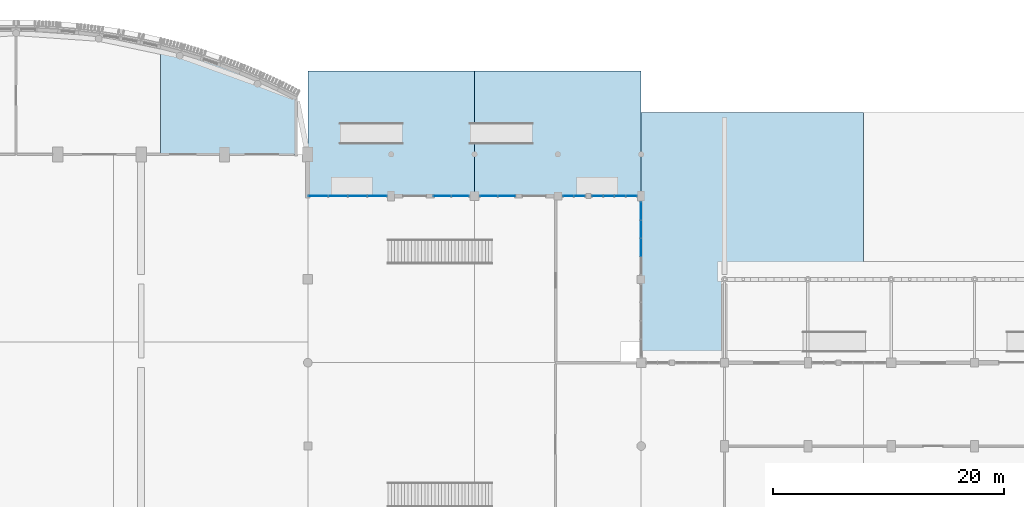
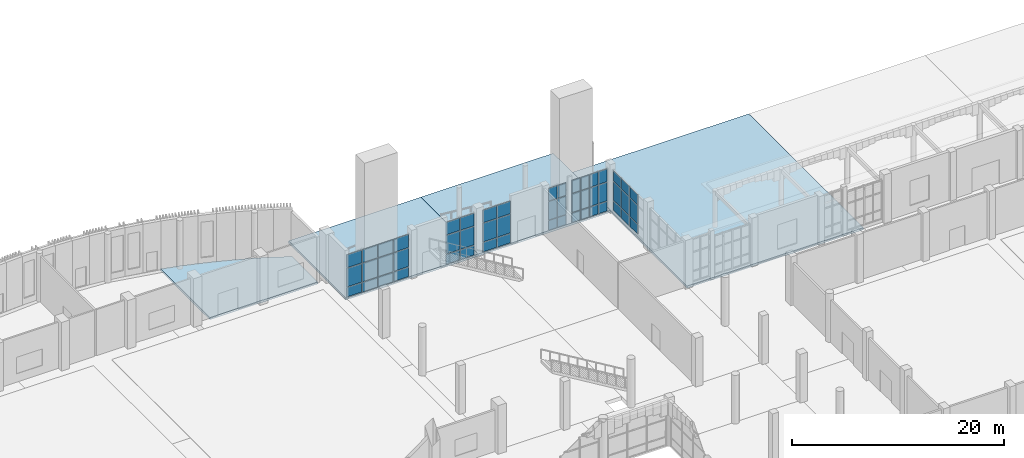
# One storey, part 44 of 85: 51 plates, 4 slabs, 6 elements without a shape of their own.
"""IFC4 building model written with IfcOpenShell, lengths in metres."""

from ifc_helpers import new_model, si_unit, direction, frame, origin, origin_2d, place, context, subcontext, project, spatial, polyline, rectangle, outline, extrude, material, layer, layer_set, type_object, element, aggregate, save


model = new_model("IFC4")

# Units and contexts
model_context = context("Model", 3, precision=1e-05, world=origin(), true_north=direction((0.0, 1.0)))
body_context = subcontext(model_context, "Body", "Model", "MODEL_VIEW")
ifc_project = project(units=[si_unit("LENGTHUNIT", "METRE"), si_unit("AREAUNIT", "SQUARE_METRE"), si_unit("VOLUMEUNIT", "CUBIC_METRE"), si_unit("PLANEANGLEUNIT", "RADIAN"), si_unit("MASSUNIT", "GRAM", prefix="KILO")], contexts=[model_context])

# Site, building, storey
site_placement = place(None, origin())
site = spatial("IfcSite", under=ifc_project, at=site_placement, CompositionType="ELEMENT")
building_placement = place(site_placement, origin())
building = spatial("IfcBuilding", under=site, at=building_placement, Name="Sardonyx Promenade Sports Hall", CompositionType="ELEMENT")
storey_placement = place(building_placement, origin())
storey = spatial("IfcBuildingStorey", under=building, at=storey_placement, Name="L00", CompositionType="ELEMENT", Elevation=0.0)

# Curtain wall, plates
ifc_material_1 = material(Name="Aluminium 6063-T6", Category="aluminium")
curtain_wall_type_1 = type_object("IfcCurtainWallType", Name="CW_Foyer_L00_Tall", PredefinedType="USERDEFINED", material=ifc_material_1)
curtain_wall_1_placement = place(storey_placement, origin())
curtain_wall_1 = element("IfcCurtainWall", 1, at=curtain_wall_1_placement, inside=storey, type_object=curtain_wall_type_1, Name="Curtain wall CW13 cw:L00:084", ObjectType="CURTAIN WALL", PredefinedType="USERDEFINED")
ifc_material_2 = material(Name="Triple-glazed harbour solar IGU 40 mm", Category="glass")
ifc_layer_1 = layer(ifc_material_2, 0.0400390625)
ifc_layer_set_1 = layer_set([ifc_layer_1], Name="CW_Pan_Glz_40")
plate_type = type_object("IfcPlateType", Name="CW_Pan_Glz_40", PredefinedType="CURTAIN_PANEL", material=ifc_layer_set_1)
plate_1_placement = place(storey_placement, frame((80.105712890625, 100.800048828125, 0.074951171875), z_axis=(0.0, 0.0, 1.0), x_axis=(1.0, 0.0, 0.0)))
plate_1 = element("IfcPlate", 2, at=plate_1_placement, type_object=plate_type, Name="Curtain panel CP04 cw:L00:084 #1", PredefinedType="CURTAIN_PANEL", context=body_context, shape_type="SweptSolid", body=[
    extrude(rectangle(XDim=1.621337890625, YDim=0.0400390625, at=origin_2d()), origin(), (0.0, 0.0, 1.0), 1.08740234375),
])
plate_2_placement = place(storey_placement, frame((80.105712890625, 100.800048828125, 1.237548828125), z_axis=(0.0, 0.0, 1.0), x_axis=(1.0, 0.0, 0.0)))
plate_2 = element("IfcPlate", 3, at=plate_2_placement, type_object=plate_type, Name="Curtain panel CP04 cw:L00:084 #2", PredefinedType="CURTAIN_PANEL", context=body_context, shape_type="SweptSolid", body=[
    extrude(rectangle(XDim=1.621337890625, YDim=0.0400390625, at=origin_2d()), origin(), (0.0, 0.0, 1.0), 2.125),
])
plate_3_placement = place(storey_placement, frame((80.105712890625, 100.800048828125, 3.4375), z_axis=(0.0, 0.0, 1.0), x_axis=(1.0, 0.0, 0.0)))
plate_3 = element("IfcPlate", 4, at=plate_3_placement, type_object=plate_type, Name="Curtain panel CP04 cw:L00:084 #3", PredefinedType="CURTAIN_PANEL", context=body_context, shape_type="SweptSolid", body=[
    extrude(rectangle(XDim=1.621337890625, YDim=0.0400390625, at=origin_2d()), origin(), (0.0, 0.0, 1.0), 1.487548828125),
])
plate_4_placement = place(storey_placement, frame((81.8017578125, 100.800048828125, 0.074951171875), z_axis=(0.0, 0.0, 1.0), x_axis=(1.0, 0.0, 0.0)))
plate_4 = element("IfcPlate", 5, at=plate_4_placement, type_object=plate_type, Name="Curtain panel CP04 cw:L00:084 #4", PredefinedType="CURTAIN_PANEL", context=body_context, shape_type="SweptSolid", body=[
    extrude(rectangle(XDim=1.621337890625, YDim=0.0400390625, at=origin_2d()), origin(), (0.0, 0.0, 1.0), 1.08740234375),
])
plate_5_placement = place(storey_placement, frame((81.8017578125, 100.800048828125, 1.237548828125), z_axis=(0.0, 0.0, 1.0), x_axis=(1.0, 0.0, 0.0)))
plate_5 = element("IfcPlate", 6, at=plate_5_placement, type_object=plate_type, Name="Curtain panel CP04 cw:L00:084 #5", PredefinedType="CURTAIN_PANEL", context=body_context, shape_type="SweptSolid", body=[
    extrude(rectangle(XDim=1.621337890625, YDim=0.0400390625, at=origin_2d()), origin(), (0.0, 0.0, 1.0), 2.125),
])
plate_6_placement = place(storey_placement, frame((81.8017578125, 100.800048828125, 3.4375), z_axis=(0.0, 0.0, 1.0), x_axis=(1.0, 0.0, 0.0)))
plate_6 = element("IfcPlate", 7, at=plate_6_placement, type_object=plate_type, Name="Curtain panel CP04 cw:L00:084 #6", PredefinedType="CURTAIN_PANEL", context=body_context, shape_type="SweptSolid", body=[
    extrude(rectangle(XDim=1.621337890625, YDim=0.0400390625, at=origin_2d()), origin(), (0.0, 0.0, 1.0), 1.487548828125),
])
plate_7_placement = place(storey_placement, frame((83.498046875, 100.800048828125, 0.074951171875), z_axis=(0.0, 0.0, 1.0), x_axis=(1.0, 0.0, 0.0)))
plate_7 = element("IfcPlate", 8, at=plate_7_placement, type_object=plate_type, Name="Curtain panel CP04 cw:L00:084 #7", PredefinedType="CURTAIN_PANEL", context=body_context, shape_type="SweptSolid", body=[
    extrude(rectangle(XDim=1.621337890625, YDim=0.0400390625, at=origin_2d()), origin(), (0.0, 0.0, 1.0), 1.08740234375),
])
plate_8_placement = place(storey_placement, frame((83.498046875, 100.800048828125, 1.237548828125), z_axis=(0.0, 0.0, 1.0), x_axis=(1.0, 0.0, 0.0)))
plate_8 = element("IfcPlate", 9, at=plate_8_placement, type_object=plate_type, Name="Curtain panel CP04 cw:L00:084 #8", PredefinedType="CURTAIN_PANEL", context=body_context, shape_type="SweptSolid", body=[
    extrude(rectangle(XDim=1.621337890625, YDim=0.0400390625, at=origin_2d()), origin(), (0.0, 0.0, 1.0), 2.125),
])
plate_9_placement = place(storey_placement, frame((83.498046875, 100.800048828125, 3.4375), z_axis=(0.0, 0.0, 1.0), x_axis=(1.0, 0.0, 0.0)))
plate_9 = element("IfcPlate", 10, at=plate_9_placement, type_object=plate_type, Name="Curtain panel CP04 cw:L00:084 #9", PredefinedType="CURTAIN_PANEL", context=body_context, shape_type="SweptSolid", body=[
    extrude(rectangle(XDim=1.621337890625, YDim=0.0400390625, at=origin_2d()), origin(), (0.0, 0.0, 1.0), 1.487548828125),
])
plate_10_placement = place(storey_placement, frame((85.1943359375, 100.800048828125, 0.074951171875), z_axis=(0.0, 0.0, 1.0), x_axis=(1.0, 0.0, 0.0)))
plate_10 = element("IfcPlate", 11, at=plate_10_placement, type_object=plate_type, Name="Curtain panel CP04 cw:L00:084 #10", PredefinedType="CURTAIN_PANEL", context=body_context, shape_type="SweptSolid", body=[
    extrude(rectangle(XDim=1.621337890625, YDim=0.0400390625, at=origin_2d()), origin(), (0.0, 0.0, 1.0), 1.08740234375),
])
plate_11_placement = place(storey_placement, frame((85.1943359375, 100.800048828125, 1.237548828125), z_axis=(0.0, 0.0, 1.0), x_axis=(1.0, 0.0, 0.0)))
plate_11 = element("IfcPlate", 12, at=plate_11_placement, type_object=plate_type, Name="Curtain panel CP04 cw:L00:084 #11", PredefinedType="CURTAIN_PANEL", context=body_context, shape_type="SweptSolid", body=[
    extrude(rectangle(XDim=1.621337890625, YDim=0.0400390625, at=origin_2d()), origin(), (0.0, 0.0, 1.0), 2.125),
])
plate_12_placement = place(storey_placement, frame((85.1943359375, 100.800048828125, 3.4375), z_axis=(0.0, 0.0, 1.0), x_axis=(1.0, 0.0, 0.0)))
plate_12 = element("IfcPlate", 13, at=plate_12_placement, type_object=plate_type, Name="Curtain panel CP04 cw:L00:084 #12", PredefinedType="CURTAIN_PANEL", context=body_context, shape_type="SweptSolid", body=[
    extrude(rectangle(XDim=1.621337890625, YDim=0.0400390625, at=origin_2d()), origin(), (0.0, 0.0, 1.0), 1.487548828125),
])
aggregate(curtain_wall_1, [plate_1, plate_2, plate_3, plate_4, plate_5, plate_6, plate_7, plate_8, plate_9, plate_10, plate_11, plate_12])

ifc_material_3 = material(Name="Aluminium 6063-T6", Category="aluminium")
curtain_wall_type_2 = type_object("IfcCurtainWallType", Name="CW_Foyer_Pilaster_L00", PredefinedType="USERDEFINED", material=ifc_material_3)
curtain_wall_2_placement = place(storey_placement, origin())
curtain_wall_2 = element("IfcCurtainWall", 14, at=curtain_wall_2_placement, inside=storey, type_object=curtain_wall_type_2, Name="Curtain wall CW20 cw:L00:085", ObjectType="CURTAIN WALL", PredefinedType="USERDEFINED")
plate_13_placement = place(storey_placement, frame((90.828857421875, 100.800048828125, 0.074951171875), z_axis=(0.0, 0.0, 1.0), x_axis=(1.0, 0.0, 0.0)))
plate_13 = element("IfcPlate", 15, at=plate_13_placement, type_object=plate_type, Name="Curtain panel CP04 cw:L00:085 #1", PredefinedType="CURTAIN_PANEL", context=body_context, shape_type="SweptSolid", body=[
    extrude(rectangle(XDim=1.467529296875, YDim=0.0400390625, at=origin_2d()), origin(), (0.0, 0.0, 1.0), 1.08740234375),
])
plate_14_placement = place(storey_placement, frame((90.828857421875, 100.800048828125, 1.237548828125), z_axis=(0.0, 0.0, 1.0), x_axis=(1.0, 0.0, 0.0)))
plate_14 = element("IfcPlate", 16, at=plate_14_placement, type_object=plate_type, Name="Curtain panel CP04 cw:L00:085 #2", PredefinedType="CURTAIN_PANEL", context=body_context, shape_type="SweptSolid", body=[
    extrude(rectangle(XDim=1.467529296875, YDim=0.0400390625, at=origin_2d()), origin(), (0.0, 0.0, 1.0), 2.125),
])
plate_15_placement = place(storey_placement, frame((90.828857421875, 100.800048828125, 3.4375), z_axis=(0.0, 0.0, 1.0), x_axis=(1.0, 0.0, 0.0)))
plate_15 = element("IfcPlate", 17, at=plate_15_placement, type_object=plate_type, Name="Curtain panel CP04 cw:L00:085 #3", PredefinedType="CURTAIN_PANEL", context=body_context, shape_type="SweptSolid", body=[
    extrude(rectangle(XDim=1.467529296875, YDim=0.0400390625, at=origin_2d()), origin(), (0.0, 0.0, 1.0), 1.4375),
])
plate_16_placement = place(storey_placement, frame((92.371337890625, 100.800048828125, 0.074951171875), z_axis=(0.0, 0.0, 1.0), x_axis=(1.0, 0.0, 0.0)))
plate_16 = element("IfcPlate", 18, at=plate_16_placement, type_object=plate_type, Name="Curtain panel CP04 cw:L00:085 #4", PredefinedType="CURTAIN_PANEL", context=body_context, shape_type="SweptSolid", body=[
    extrude(rectangle(XDim=1.467529296875, YDim=0.0400390625, at=origin_2d()), origin(), (0.0, 0.0, 1.0), 1.08740234375),
])
plate_17_placement = place(storey_placement, frame((92.371337890625, 100.800048828125, 1.237548828125), z_axis=(0.0, 0.0, 1.0), x_axis=(1.0, 0.0, 0.0)))
plate_17 = element("IfcPlate", 19, at=plate_17_placement, type_object=plate_type, Name="Curtain panel CP04 cw:L00:085 #5", PredefinedType="CURTAIN_PANEL", context=body_context, shape_type="SweptSolid", body=[
    extrude(rectangle(XDim=1.467529296875, YDim=0.0400390625, at=origin_2d()), origin(), (0.0, 0.0, 1.0), 2.125),
])
plate_18_placement = place(storey_placement, frame((92.371337890625, 100.800048828125, 3.4375), z_axis=(0.0, 0.0, 1.0), x_axis=(1.0, 0.0, 0.0)))
plate_18 = element("IfcPlate", 20, at=plate_18_placement, type_object=plate_type, Name="Curtain panel CP04 cw:L00:085 #6", PredefinedType="CURTAIN_PANEL", context=body_context, shape_type="SweptSolid", body=[
    extrude(rectangle(XDim=1.467529296875, YDim=0.0400390625, at=origin_2d()), origin(), (0.0, 0.0, 1.0), 1.4375),
])
aggregate(curtain_wall_2, [plate_13, plate_14, plate_15, plate_16, plate_17, plate_18])

curtain_wall_3_placement = place(storey_placement, origin())
curtain_wall_3 = element("IfcCurtainWall", 21, at=curtain_wall_3_placement, inside=storey, type_object=curtain_wall_type_2, Name="Curtain wall CW20 cw:L00:086", ObjectType="CURTAIN WALL", PredefinedType="USERDEFINED")
plate_19_placement = place(storey_placement, frame((94.828857421875, 100.800048828125, 0.074951171875), z_axis=(0.0, 0.0, 1.0), x_axis=(1.0, 0.0, 0.0)))
plate_19 = element("IfcPlate", 22, at=plate_19_placement, type_object=plate_type, Name="Curtain panel CP04 cw:L00:086 #1", PredefinedType="CURTAIN_PANEL", context=body_context, shape_type="SweptSolid", body=[
    extrude(rectangle(XDim=1.467529296875, YDim=0.0400390625, at=origin_2d()), origin(), (0.0, 0.0, 1.0), 1.08740234375),
])
plate_20_placement = place(storey_placement, frame((94.828857421875, 100.800048828125, 1.237548828125), z_axis=(0.0, 0.0, 1.0), x_axis=(1.0, 0.0, 0.0)))
plate_20 = element("IfcPlate", 23, at=plate_20_placement, type_object=plate_type, Name="Curtain panel CP04 cw:L00:086 #2", PredefinedType="CURTAIN_PANEL", context=body_context, shape_type="SweptSolid", body=[
    extrude(rectangle(XDim=1.467529296875, YDim=0.0400390625, at=origin_2d()), origin(), (0.0, 0.0, 1.0), 2.125),
])
plate_21_placement = place(storey_placement, frame((94.828857421875, 100.800048828125, 3.4375), z_axis=(0.0, 0.0, 1.0), x_axis=(1.0, 0.0, 0.0)))
plate_21 = element("IfcPlate", 24, at=plate_21_placement, type_object=plate_type, Name="Curtain panel CP04 cw:L00:086 #3", PredefinedType="CURTAIN_PANEL", context=body_context, shape_type="SweptSolid", body=[
    extrude(rectangle(XDim=1.467529296875, YDim=0.0400390625, at=origin_2d()), origin(), (0.0, 0.0, 1.0), 1.4375),
])
plate_22_placement = place(storey_placement, frame((96.371337890625, 100.800048828125, 0.074951171875), z_axis=(0.0, 0.0, 1.0), x_axis=(1.0, 0.0, 0.0)))
plate_22 = element("IfcPlate", 25, at=plate_22_placement, type_object=plate_type, Name="Curtain panel CP04 cw:L00:086 #4", PredefinedType="CURTAIN_PANEL", context=body_context, shape_type="SweptSolid", body=[
    extrude(rectangle(XDim=1.467529296875, YDim=0.0400390625, at=origin_2d()), origin(), (0.0, 0.0, 1.0), 1.08740234375),
])
plate_23_placement = place(storey_placement, frame((96.371337890625, 100.800048828125, 1.237548828125), z_axis=(0.0, 0.0, 1.0), x_axis=(1.0, 0.0, 0.0)))
plate_23 = element("IfcPlate", 26, at=plate_23_placement, type_object=plate_type, Name="Curtain panel CP04 cw:L00:086 #5", PredefinedType="CURTAIN_PANEL", context=body_context, shape_type="SweptSolid", body=[
    extrude(rectangle(XDim=1.467529296875, YDim=0.0400390625, at=origin_2d()), origin(), (0.0, 0.0, 1.0), 2.125),
])
plate_24_placement = place(storey_placement, frame((96.371337890625, 100.800048828125, 3.4375), z_axis=(0.0, 0.0, 1.0), x_axis=(1.0, 0.0, 0.0)))
plate_24 = element("IfcPlate", 27, at=plate_24_placement, type_object=plate_type, Name="Curtain panel CP04 cw:L00:086 #6", PredefinedType="CURTAIN_PANEL", context=body_context, shape_type="SweptSolid", body=[
    extrude(rectangle(XDim=1.467529296875, YDim=0.0400390625, at=origin_2d()), origin(), (0.0, 0.0, 1.0), 1.4375),
])
aggregate(curtain_wall_3, [plate_19, plate_20, plate_21, plate_22, plate_23, plate_24])

curtain_wall_4_placement = place(storey_placement, origin())
curtain_wall_4 = element("IfcCurtainWall", 28, at=curtain_wall_4_placement, inside=storey, type_object=curtain_wall_type_2, Name="Curtain wall CW20 cw:L00:087", ObjectType="CURTAIN WALL", PredefinedType="USERDEFINED")
plate_25_placement = place(storey_placement, frame((101.697509765625, 100.800048828125, 0.074951171875), z_axis=(0.0, 0.0, 1.0), x_axis=(1.0, 0.0, 0.0)))
plate_25 = element("IfcPlate", 29, at=plate_25_placement, type_object=plate_type, Name="Curtain panel CP04 cw:L00:087 #1", PredefinedType="CURTAIN_PANEL", context=body_context, shape_type="SweptSolid", body=[
    extrude(rectangle(XDim=0.905029296875, YDim=0.0400390625, at=origin_2d()), origin(), (0.0, 0.0, 1.0), 1.08740234375),
])
plate_26_placement = place(storey_placement, frame((101.697509765625, 100.800048828125, 1.237548828125), z_axis=(0.0, 0.0, 1.0), x_axis=(1.0, 0.0, 0.0)))
plate_26 = element("IfcPlate", 30, at=plate_26_placement, type_object=plate_type, Name="Curtain panel CP04 cw:L00:087 #2", PredefinedType="CURTAIN_PANEL", context=body_context, shape_type="SweptSolid", body=[
    extrude(rectangle(XDim=0.905029296875, YDim=0.0400390625, at=origin_2d()), origin(), (0.0, 0.0, 1.0), 2.125),
])
plate_27_placement = place(storey_placement, frame((101.697509765625, 100.800048828125, 3.4375), z_axis=(0.0, 0.0, 1.0), x_axis=(1.0, 0.0, 0.0)))
plate_27 = element("IfcPlate", 31, at=plate_27_placement, type_object=plate_type, Name="Curtain panel CP04 cw:L00:087 #3", PredefinedType="CURTAIN_PANEL", context=body_context, shape_type="SweptSolid", body=[
    extrude(rectangle(XDim=0.905029296875, YDim=0.0400390625, at=origin_2d()), origin(), (0.0, 0.0, 1.0), 1.4375),
])
plate_28_placement = place(storey_placement, frame((102.677490234375, 100.800048828125, 0.074951171875), z_axis=(0.0, 0.0, 1.0), x_axis=(1.0, 0.0, 0.0)))
plate_28 = element("IfcPlate", 32, at=plate_28_placement, type_object=plate_type, Name="Curtain panel CP04 cw:L00:087 #4", PredefinedType="CURTAIN_PANEL", context=body_context, shape_type="SweptSolid", body=[
    extrude(rectangle(XDim=0.905029296875, YDim=0.0400390625, at=origin_2d()), origin(), (0.0, 0.0, 1.0), 1.08740234375),
])
plate_29_placement = place(storey_placement, frame((102.677490234375, 100.800048828125, 1.237548828125), z_axis=(0.0, 0.0, 1.0), x_axis=(1.0, 0.0, 0.0)))
plate_29 = element("IfcPlate", 33, at=plate_29_placement, type_object=plate_type, Name="Curtain panel CP04 cw:L00:087 #5", PredefinedType="CURTAIN_PANEL", context=body_context, shape_type="SweptSolid", body=[
    extrude(rectangle(XDim=0.905029296875, YDim=0.0400390625, at=origin_2d()), origin(), (0.0, 0.0, 1.0), 2.125),
])
plate_30_placement = place(storey_placement, frame((102.677490234375, 100.800048828125, 3.4375), z_axis=(0.0, 0.0, 1.0), x_axis=(1.0, 0.0, 0.0)))
plate_30 = element("IfcPlate", 34, at=plate_30_placement, type_object=plate_type, Name="Curtain panel CP04 cw:L00:087 #6", PredefinedType="CURTAIN_PANEL", context=body_context, shape_type="SweptSolid", body=[
    extrude(rectangle(XDim=0.905029296875, YDim=0.0400390625, at=origin_2d()), origin(), (0.0, 0.0, 1.0), 1.4375),
])
aggregate(curtain_wall_4, [plate_25, plate_26, plate_27, plate_28, plate_29, plate_30])

curtain_wall_5_placement = place(storey_placement, origin())
curtain_wall_5 = element("IfcCurtainWall", 35, at=curtain_wall_5_placement, inside=storey, type_object=curtain_wall_type_1, Name="Curtain wall CW13 cw:L00:088", ObjectType="CURTAIN WALL", PredefinedType="USERDEFINED")
plate_31_placement = place(storey_placement, frame((104.22119140625, 100.800048828125, 0.074951171875), z_axis=(0.0, 0.0, 1.0), x_axis=(1.0, 0.0, 0.0)))
plate_31 = element("IfcPlate", 36, at=plate_31_placement, type_object=plate_type, Name="Curtain panel CP04 cw:L00:088 #1", PredefinedType="CURTAIN_PANEL", context=body_context, shape_type="SweptSolid", body=[
    extrude(rectangle(XDim=0.902587890625, YDim=0.0400390625, at=origin_2d()), origin(), (0.0, 0.0, 1.0), 1.08740234375),
])
plate_32_placement = place(storey_placement, frame((104.22119140625, 100.800048828125, 1.237548828125), z_axis=(0.0, 0.0, 1.0), x_axis=(1.0, 0.0, 0.0)))
plate_32 = element("IfcPlate", 37, at=plate_32_placement, type_object=plate_type, Name="Curtain panel CP04 cw:L00:088 #2", PredefinedType="CURTAIN_PANEL", context=body_context, shape_type="SweptSolid", body=[
    extrude(rectangle(XDim=0.902587890625, YDim=0.0400390625, at=origin_2d()), origin(), (0.0, 0.0, 1.0), 2.125),
])
plate_33_placement = place(storey_placement, frame((104.22119140625, 100.800048828125, 3.4375), z_axis=(0.0, 0.0, 1.0), x_axis=(1.0, 0.0, 0.0)))
plate_33 = element("IfcPlate", 38, at=plate_33_placement, type_object=plate_type, Name="Curtain panel CP04 cw:L00:088 #3", PredefinedType="CURTAIN_PANEL", context=body_context, shape_type="SweptSolid", body=[
    extrude(rectangle(XDim=0.902587890625, YDim=0.0400390625, at=origin_2d()), origin(), (0.0, 0.0, 1.0), 1.472412109375),
])
plate_34_placement = place(storey_placement, frame((105.19873046875, 100.800048828125, 0.074951171875), z_axis=(0.0, 0.0, 1.0), x_axis=(1.0, 0.0, 0.0)))
plate_34 = element("IfcPlate", 39, at=plate_34_placement, type_object=plate_type, Name="Curtain panel CP04 cw:L00:088 #4", PredefinedType="CURTAIN_PANEL", context=body_context, shape_type="SweptSolid", body=[
    extrude(rectangle(XDim=0.902587890625, YDim=0.0400390625, at=origin_2d()), origin(), (0.0, 0.0, 1.0), 1.08740234375),
])
plate_35_placement = place(storey_placement, frame((105.19873046875, 100.800048828125, 1.237548828125), z_axis=(0.0, 0.0, 1.0), x_axis=(1.0, 0.0, 0.0)))
plate_35 = element("IfcPlate", 40, at=plate_35_placement, type_object=plate_type, Name="Curtain panel CP04 cw:L00:088 #5", PredefinedType="CURTAIN_PANEL", context=body_context, shape_type="SweptSolid", body=[
    extrude(rectangle(XDim=0.902587890625, YDim=0.0400390625, at=origin_2d()), origin(), (0.0, 0.0, 1.0), 2.125),
])
plate_36_placement = place(storey_placement, frame((105.19873046875, 100.800048828125, 3.4375), z_axis=(0.0, 0.0, 1.0), x_axis=(1.0, 0.0, 0.0)))
plate_36 = element("IfcPlate", 41, at=plate_36_placement, type_object=plate_type, Name="Curtain panel CP04 cw:L00:088 #6", PredefinedType="CURTAIN_PANEL", context=body_context, shape_type="SweptSolid", body=[
    extrude(rectangle(XDim=0.902587890625, YDim=0.0400390625, at=origin_2d()), origin(), (0.0, 0.0, 1.0), 1.472412109375),
])
plate_37_placement = place(storey_placement, frame((106.17626953125, 100.800048828125, 0.074951171875), z_axis=(0.0, 0.0, 1.0), x_axis=(1.0, 0.0, 0.0)))
plate_37 = element("IfcPlate", 42, at=plate_37_placement, type_object=plate_type, Name="Curtain panel CP04 cw:L00:088 #7", PredefinedType="CURTAIN_PANEL", context=body_context, shape_type="SweptSolid", body=[
    extrude(rectangle(XDim=0.902587890625, YDim=0.0400390625, at=origin_2d()), origin(), (0.0, 0.0, 1.0), 1.08740234375),
])
plate_38_placement = place(storey_placement, frame((106.17626953125, 100.800048828125, 1.237548828125), z_axis=(0.0, 0.0, 1.0), x_axis=(1.0, 0.0, 0.0)))
plate_38 = element("IfcPlate", 43, at=plate_38_placement, type_object=plate_type, Name="Curtain panel CP04 cw:L00:088 #8", PredefinedType="CURTAIN_PANEL", context=body_context, shape_type="SweptSolid", body=[
    extrude(rectangle(XDim=0.902587890625, YDim=0.0400390625, at=origin_2d()), origin(), (0.0, 0.0, 1.0), 2.125),
])
plate_39_placement = place(storey_placement, frame((106.17626953125, 100.800048828125, 3.4375), z_axis=(0.0, 0.0, 1.0), x_axis=(1.0, 0.0, 0.0)))
plate_39 = element("IfcPlate", 44, at=plate_39_placement, type_object=plate_type, Name="Curtain panel CP04 cw:L00:088 #9", PredefinedType="CURTAIN_PANEL", context=body_context, shape_type="SweptSolid", body=[
    extrude(rectangle(XDim=0.902587890625, YDim=0.0400390625, at=origin_2d()), origin(), (0.0, 0.0, 1.0), 1.472412109375),
])
plate_40_placement = place(storey_placement, frame((107.15380859375, 100.800048828125, 0.074951171875), z_axis=(0.0, 0.0, 1.0), x_axis=(1.0, 0.0, 0.0)))
plate_40 = element("IfcPlate", 45, at=plate_40_placement, type_object=plate_type, Name="Curtain panel CP04 cw:L00:088 #10", PredefinedType="CURTAIN_PANEL", context=body_context, shape_type="SweptSolid", body=[
    extrude(rectangle(XDim=0.902587890625, YDim=0.0400390625, at=origin_2d()), origin(), (0.0, 0.0, 1.0), 1.08740234375),
])
plate_41_placement = place(storey_placement, frame((107.15380859375, 100.800048828125, 1.237548828125), z_axis=(0.0, 0.0, 1.0), x_axis=(1.0, 0.0, 0.0)))
plate_41 = element("IfcPlate", 46, at=plate_41_placement, type_object=plate_type, Name="Curtain panel CP04 cw:L00:088 #11", PredefinedType="CURTAIN_PANEL", context=body_context, shape_type="SweptSolid", body=[
    extrude(rectangle(XDim=0.902587890625, YDim=0.0400390625, at=origin_2d()), origin(), (0.0, 0.0, 1.0), 2.125),
])
plate_42_placement = place(storey_placement, frame((107.15380859375, 100.800048828125, 3.4375), z_axis=(0.0, 0.0, 1.0), x_axis=(1.0, 0.0, 0.0)))
plate_42 = element("IfcPlate", 47, at=plate_42_placement, type_object=plate_type, Name="Curtain panel CP04 cw:L00:088 #12", PredefinedType="CURTAIN_PANEL", context=body_context, shape_type="SweptSolid", body=[
    extrude(rectangle(XDim=0.902587890625, YDim=0.0400390625, at=origin_2d()), origin(), (0.0, 0.0, 1.0), 1.472412109375),
])
aggregate(curtain_wall_5, [plate_31, plate_32, plate_33, plate_34, plate_35, plate_36, plate_37, plate_38, plate_39, plate_40, plate_41, plate_42])

curtain_wall_6_placement = place(storey_placement, origin())
curtain_wall_6 = element("IfcCurtainWall", 48, at=curtain_wall_6_placement, inside=storey, type_object=curtain_wall_type_1, Name="Curtain wall CW13 cw:L00:093", ObjectType="CURTAIN WALL", PredefinedType="USERDEFINED")
plate_43_placement = place(storey_placement, frame((108.0, 99.5068359375, 0.375), z_axis=(0.0, 0.0, 1.0), x_axis=(0.0, -1.0, 0.0)))
plate_43 = element("IfcPlate", 49, at=plate_43_placement, type_object=plate_type, Name="Curtain panel CP04 cw:L00:093 #1", PredefinedType="CURTAIN_PANEL", context=body_context, shape_type="SweptSolid", body=[
    extrude(rectangle(XDim=1.496337890625, YDim=0.0400390625, at=origin_2d()), origin(), (0.0, 0.0, 1.0), 1.08740234375),
])
plate_44_placement = place(storey_placement, frame((108.0, 99.5068359375, 1.53759765625), z_axis=(0.0, 0.0, 1.0), x_axis=(0.0, -1.0, 0.0)))
plate_44 = element("IfcPlate", 50, at=plate_44_placement, type_object=plate_type, Name="Curtain panel CP04 cw:L00:093 #2", PredefinedType="CURTAIN_PANEL", context=body_context, shape_type="SweptSolid", body=[
    extrude(rectangle(XDim=1.496337890625, YDim=0.0400390625, at=origin_2d()), origin(), (0.0, 0.0, 1.0), 2.125),
])
plate_45_placement = place(storey_placement, frame((108.0, 99.5068359375, 3.7373046875), z_axis=(0.0, 0.0, 1.0), x_axis=(0.0, -1.0, 0.0)))
plate_45 = element("IfcPlate", 51, at=plate_45_placement, type_object=plate_type, Name="Curtain panel CP04 cw:L00:093 #3", PredefinedType="CURTAIN_PANEL", context=body_context, shape_type="SweptSolid", body=[
    extrude(rectangle(XDim=1.496337890625, YDim=0.0400390625, at=origin_2d()), origin(), (0.0, 0.0, 1.0), 1.172607421875),
])
plate_46_placement = place(storey_placement, frame((108.0, 97.935546875, 0.375), z_axis=(0.0, 0.0, 1.0), x_axis=(0.0, -1.0, 0.0)))
plate_46 = element("IfcPlate", 52, at=plate_46_placement, type_object=plate_type, Name="Curtain panel CP04 cw:L00:093 #4", PredefinedType="CURTAIN_PANEL", context=body_context, shape_type="SweptSolid", body=[
    extrude(rectangle(XDim=1.496337890625, YDim=0.0400390625, at=origin_2d()), origin(), (0.0, 0.0, 1.0), 1.08740234375),
])
plate_47_placement = place(storey_placement, frame((108.0, 97.935546875, 1.53759765625), z_axis=(0.0, 0.0, 1.0), x_axis=(0.0, -1.0, 0.0)))
plate_47 = element("IfcPlate", 53, at=plate_47_placement, type_object=plate_type, Name="Curtain panel CP04 cw:L00:093 #5", PredefinedType="CURTAIN_PANEL", context=body_context, shape_type="SweptSolid", body=[
    extrude(rectangle(XDim=1.496337890625, YDim=0.0400390625, at=origin_2d()), origin(), (0.0, 0.0, 1.0), 2.125),
])
plate_48_placement = place(storey_placement, frame((108.0, 97.935546875, 3.7373046875), z_axis=(0.0, 0.0, 1.0), x_axis=(0.0, -1.0, 0.0)))
plate_48 = element("IfcPlate", 54, at=plate_48_placement, type_object=plate_type, Name="Curtain panel CP04 cw:L00:093 #6", PredefinedType="CURTAIN_PANEL", context=body_context, shape_type="SweptSolid", body=[
    extrude(rectangle(XDim=1.496337890625, YDim=0.0400390625, at=origin_2d()), origin(), (0.0, 0.0, 1.0), 1.172607421875),
])
plate_49_placement = place(storey_placement, frame((108.0, 96.3642578125, 0.375), z_axis=(0.0, 0.0, 1.0), x_axis=(0.0, -1.0, 0.0)))
plate_49 = element("IfcPlate", 55, at=plate_49_placement, type_object=plate_type, Name="Curtain panel CP04 cw:L00:093 #7", PredefinedType="CURTAIN_PANEL", context=body_context, shape_type="SweptSolid", body=[
    extrude(rectangle(XDim=1.496337890625, YDim=0.0400390625, at=origin_2d()), origin(), (0.0, 0.0, 1.0), 1.08740234375),
])
plate_50_placement = place(storey_placement, frame((108.0, 96.3642578125, 1.53759765625), z_axis=(0.0, 0.0, 1.0), x_axis=(0.0, -1.0, 0.0)))
plate_50 = element("IfcPlate", 56, at=plate_50_placement, type_object=plate_type, Name="Curtain panel CP04 cw:L00:093 #8", PredefinedType="CURTAIN_PANEL", context=body_context, shape_type="SweptSolid", body=[
    extrude(rectangle(XDim=1.496337890625, YDim=0.0400390625, at=origin_2d()), origin(), (0.0, 0.0, 1.0), 2.125),
])
plate_51_placement = place(storey_placement, frame((108.0, 96.3642578125, 3.7373046875), z_axis=(0.0, 0.0, 1.0), x_axis=(0.0, -1.0, 0.0)))
plate_51 = element("IfcPlate", 57, at=plate_51_placement, type_object=plate_type, Name="Curtain panel CP04 cw:L00:093 #9", PredefinedType="CURTAIN_PANEL", context=body_context, shape_type="SweptSolid", body=[
    extrude(rectangle(XDim=1.496337890625, YDim=0.0400390625, at=origin_2d()), origin(), (0.0, 0.0, 1.0), 1.172607421875),
])
aggregate(curtain_wall_6, [plate_43, plate_44, plate_45, plate_46, plate_47, plate_48, plate_49, plate_50, plate_51])

# Slabs
ifc_material_4 = material(Name="Concrete C40/50", Category="concrete")
ifc_layer_2 = layer(ifc_material_4, 0.25)
ifc_layer_set_2 = layer_set([ifc_layer_2], Name="Slab_Ext_Apron_180")
slab_type = type_object("IfcSlabType", Name="Slab_Ext_Apron_180", PredefinedType="FLOOR", material=ifc_layer_set_2)
slab_1_placement = place(storey_placement, frame((0.0, 0.0, -0.25)))
element("IfcSlab", 58, at=slab_1_placement, inside=storey, type_object=slab_type, Name="Slab TS01 L00 #88", PredefinedType="FLOOR", context=body_context, shape_type="SweptSolid", body=[
    extrude(outline(polyline([(108.0, 86.39990234375), (127.199951171875, 86.39990234375), (127.199951171875, 108.0), (108.0, 108.0), (108.0, 86.39990234375)])), origin(), (0.0, 0.0, 1.0), 0.25),
])
slab_2_placement = place(storey_placement, frame((0.0, 0.0, -0.25)))
element("IfcSlab", 59, at=slab_2_placement, inside=storey, type_object=slab_type, Name="Slab TS01 L00 #91", PredefinedType="FLOOR", context=body_context, shape_type="SweptSolid", body=[
    extrude(outline(polyline([(79.199951171875, 100.800048828125), (93.60009765625, 100.800048828125), (93.60009765625, 111.60009765625), (79.199951171875, 111.60009765625), (79.199951171875, 100.800048828125)])), origin(), (0.0, 0.0, 1.0), 0.25),
])
slab_3_placement = place(storey_placement, frame((0.0, 0.0, -0.25)))
element("IfcSlab", 60, at=slab_3_placement, inside=storey, type_object=slab_type, Name="Slab TS01 L00 #92", PredefinedType="FLOOR", context=body_context, shape_type="SweptSolid", body=[
    extrude(outline(polyline([(93.60009765625, 100.800048828125), (108.0, 100.800048828125), (108.0, 111.60009765625), (93.60009765625, 111.60009765625), (93.60009765625, 100.800048828125)])), origin(), (0.0, 0.0, 1.0), 0.25),
])
slab_4_placement = place(storey_placement, frame((0.0, 0.0, -0.25)))
element("IfcSlab", 61, at=slab_4_placement, inside=storey, type_object=slab_type, Name="Bowed promenade loggia slab L00 #4", PredefinedType="FLOOR", context=body_context, shape_type="SweptSolid", body=[
    extrude(outline(polyline([(66.477783203125, 104.39990234375), (78.226318359375, 104.39990234375), (78.226318359375, 109.2119140625), (76.619140625, 110.022705078125), (74.985107421875, 110.777587890625), (73.325927734375, 111.475341796875), (71.6435546875, 112.115234375), (69.93994140625, 112.696533203125), (68.21728515625, 113.21875), (66.477783203125, 113.6806640625), (66.477783203125, 104.39990234375)])), origin(), (0.0, 0.0, 1.0), 0.25),
])

save(model, "model.ifc")
